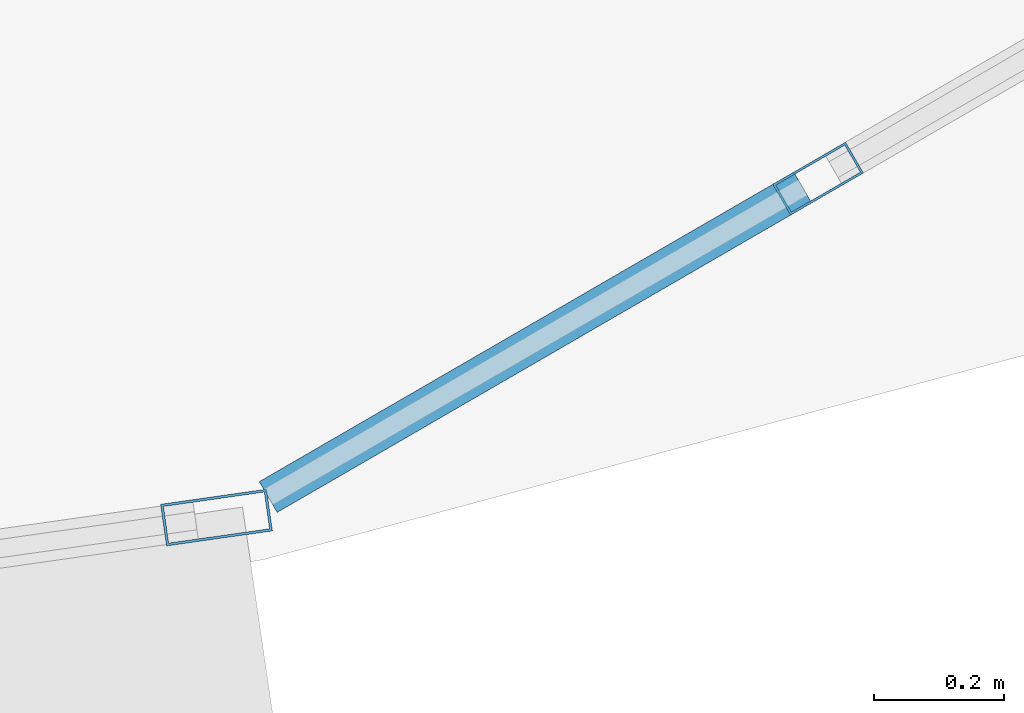
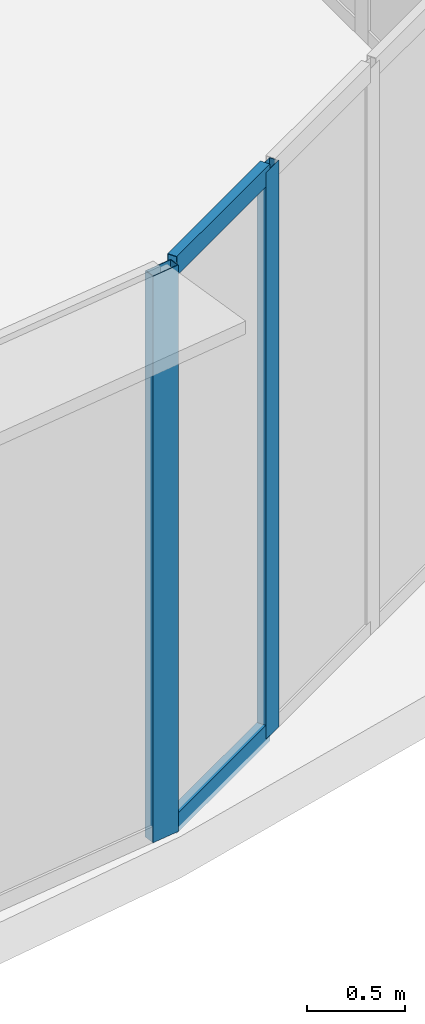
# One storey, part 20 of 39: 4 members, 2 elements without a shape of their own.
"""IFC4 building model written with IfcOpenShell, lengths in metres."""

from ifc_helpers import new_model, si_unit, direction, frame, origin, origin_2d, place, context, subcontext, project, spatial, hollow_rectangle, extrude, source, transform, mapped, material, layer, layer_set, material_profile, profile_set, type_object, element, aggregate, save


model = new_model("IFC4")

# Units and contexts
model_context = context("Model", 3, precision=1e-05, world=origin(), true_north=direction((0.0, 1.0)))
body_context = subcontext(model_context, "Body", "Model", "MODEL_VIEW")
ifc_project = project(units=[si_unit("LENGTHUNIT", "METRE"), si_unit("AREAUNIT", "SQUARE_METRE"), si_unit("VOLUMEUNIT", "CUBIC_METRE"), si_unit("PLANEANGLEUNIT", "RADIAN"), si_unit("MASSUNIT", "GRAM", prefix="KILO"), si_unit("THERMODYNAMICTEMPERATUREUNIT", "KELVIN"), si_unit("POWERUNIT", "WATT")], contexts=[model_context])

# Site, building, storey
site_placement = place(None, origin())
site = spatial("IfcSite", under=ifc_project, at=site_placement, CompositionType="ELEMENT")
building_placement = place(site_placement, origin())
building = spatial("IfcBuilding", under=site, at=building_placement, Name="Yunzhuo Pagoda Commons", CompositionType="ELEMENT")
storey_placement = place(building_placement, frame((0.0, 0.0, 92.580078125)))
storey = spatial("IfcBuildingStorey", under=building, at=storey_placement, Name="L23", CompositionType="ELEMENT", Elevation=92.580078125)

# Curtain wall, member
ifc_material = material(Name="Anodized aluminium 6063-T6", Category="aluminium")
ifc_layer_1 = layer(ifc_material, 0.1650390625)
ifc_layer_set_1 = layer_set([ifc_layer_1], Name="Anodized aluminium 6063-T6")
curtain_wall_type_1 = type_object("IfcCurtainWallType", Name="CW-LOW Low-Zone Ribbon Curtain Wall", PredefinedType="NOTDEFINED", material=ifc_layer_set_1)
curtain_wall_1_placement = place(storey_placement, origin())
curtain_wall_1 = element("IfcCurtainWall", 1, at=curtain_wall_1_placement, inside=storey, type_object=curtain_wall_type_1, Name="L23 curtain wall CW-L23-F1B5", PredefinedType="NOTDEFINED")
ifc_material_profile_1 = material_profile(ifc_material, hollow_rectangle(XDim=0.06494140625, YDim=0.1650390625, WallThickness=0.00390625, at=origin_2d()), Name="Anodized aluminium 6063-T6")
ifc_profile_set_1 = profile_set([ifc_material_profile_1], Name="Anodized aluminium 6063-T6")
member_type_1 = type_object("IfcMemberType", Name="CW-LOW-M Mullion RHS 165x65x4", PredefinedType="MULLION", material=ifc_profile_set_1)
shared_shape_1 = source(origin(), body_context, "Body", "SweptSolid", [
    extrude(hollow_rectangle(XDim=0.06494140625, YDim=0.1650390625, WallThickness=0.00390625, at=origin_2d()), origin(), (0.0, 0.0, 1.0), 3.5400390625),
])
member_1_placement = place(storey_placement, frame((85.2880859375, 15.32568359375, 0.0), z_axis=(0.0, 0.0, 1.0), x_axis=(-0.140773671614, 0.990041803855, 0.0)))
member_1 = element("IfcMember", 2, at=member_1_placement, type_object=member_type_1, Name="CW mullion 2", PredefinedType="MULLION", context=body_context, shape_type="MappedRepresentation", body=[
    mapped(shared_shape_1, transform((0.0, 0.0, 0.0), scale=1.0)),
])
aggregate(curtain_wall_1, [member_1])

# Curtain wall, members
ifc_layer_2 = layer(ifc_material, 0.1298828125)
ifc_layer_set_2 = layer_set([ifc_layer_2], Name="Anodized aluminium 6063-T6")
curtain_wall_type_2 = type_object("IfcCurtainWallType", Name="CW-VTX Rounded Corner Curtain Wall", PredefinedType="NOTDEFINED", material=ifc_layer_set_2)
curtain_wall_2_placement = place(storey_placement, origin())
curtain_wall_2 = element("IfcCurtainWall", 3, at=curtain_wall_2_placement, inside=storey, type_object=curtain_wall_type_2, Name="L23 curtain wall CW-L23-VTX2S1", PredefinedType="NOTDEFINED")
ifc_material_profile_2 = material_profile(ifc_material, hollow_rectangle(XDim=0.054931640625, YDim=0.1298828125, WallThickness=0.00341796875, at=origin_2d()), Name="Anodized aluminium 6063-T6")
ifc_profile_set_2 = profile_set([ifc_material_profile_2], Name="Anodized aluminium 6063-T6")
member_type_2 = type_object("IfcMemberType", Name="CW-VTX-M Mullion RHS 130x55x3.5", PredefinedType="MULLION", material=ifc_profile_set_2)
shared_shape_2 = source(origin(), body_context, "Body", "SweptSolid", [
    extrude(hollow_rectangle(XDim=0.054931640625, YDim=0.1298828125, WallThickness=0.00341796875, at=origin_2d()), origin(), (0.0, 0.0, 1.0), 3.5400390625),
])
member_2_placement = place(storey_placement, frame((86.21630859375, 15.8486328125, 0.0), z_axis=(0.0, 0.0, 1.0), x_axis=(-0.501035509214, 0.865426726249, 0.0)))
member_2 = element("IfcMember", 4, at=member_2_placement, type_object=member_type_2, Name="CW mullion 2", PredefinedType="MULLION", context=body_context, shape_type="MappedRepresentation", body=[
    mapped(shared_shape_2, transform((0.0, 0.0, 0.0), scale=1.0)),
])
ifc_material_profile_3 = material_profile(ifc_material, hollow_rectangle(XDim=0.054931640625, YDim=0.1201171875, WallThickness=0.00341796875, at=origin_2d()), Name="Anodized aluminium 6063-T6")
ifc_profile_set_3 = profile_set([ifc_material_profile_3], Name="Anodized aluminium 6063-T6")
member_type_3 = type_object("IfcMemberType", Name="CW-VTX-T Transom RHS 120x55x3.5", PredefinedType="USERDEFINED", material=ifc_profile_set_3)
shared_shape_3 = source(origin(), body_context, "Body", "SweptSolid", [
    extrude(hollow_rectangle(XDim=0.054931640625, YDim=0.1201171875, WallThickness=0.00341796875, at=origin_2d()), origin(), (0.0, 0.0, 1.0), 0.952880859375),
])
member_3_placement = place(storey_placement, frame((85.367919921875, 15.357421875, 0.02734375), z_axis=(0.865391204156, 0.501096860666, 0.0), x_axis=(-0.501096860666, 0.865391204156, 0.0)))
member_3 = element("IfcMember", 5, at=member_3_placement, type_object=member_type_3, Name="CW transom 1.1", ObjectType="TRANSOM", PredefinedType="USERDEFINED", context=body_context, shape_type="MappedRepresentation", body=[
    mapped(shared_shape_3, transform((0.0, 0.0, 0.0), scale=1.0)),
])
member_4_placement = place(storey_placement, frame((85.367919921875, 15.357421875, 3.512451171875), z_axis=(0.865391204156, 0.501096860666, 0.0), x_axis=(-0.501096860666, 0.865391204156, 0.0)))
member_4 = element("IfcMember", 6, at=member_4_placement, type_object=member_type_3, Name="CW transom 1.2", ObjectType="TRANSOM", PredefinedType="USERDEFINED", context=body_context, shape_type="MappedRepresentation", body=[
    mapped(shared_shape_3, transform((0.0, 0.0, 0.0), scale=1.0)),
])
aggregate(curtain_wall_2, [member_2, member_3, member_4])

save(model, "model.ifc")
